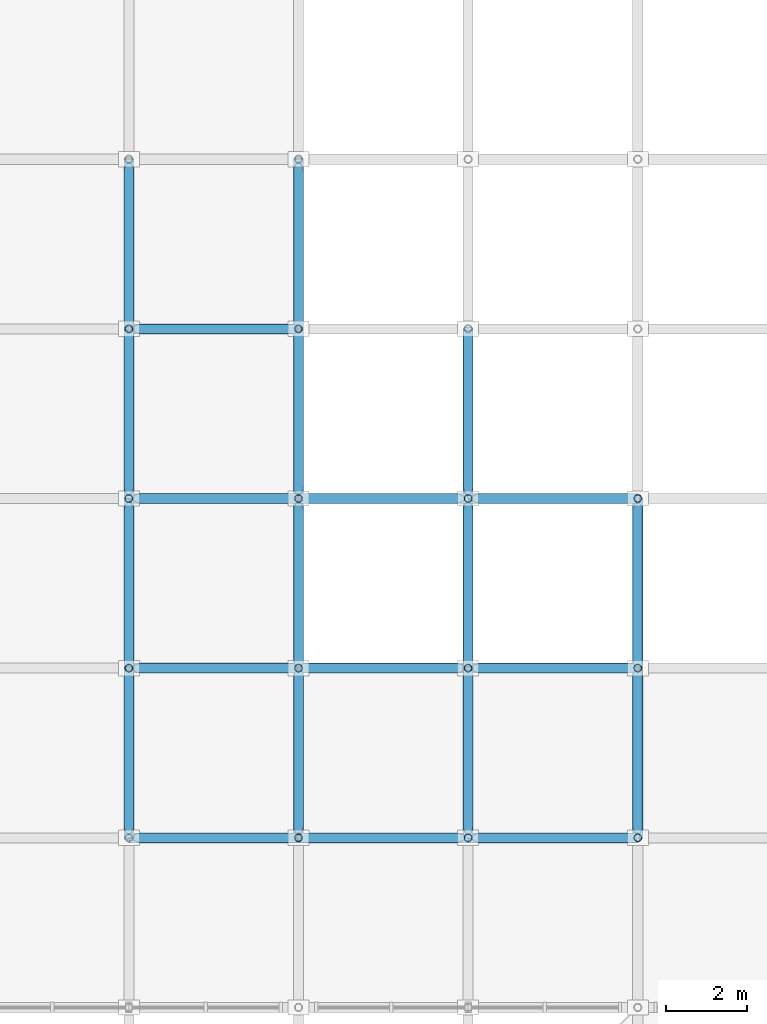
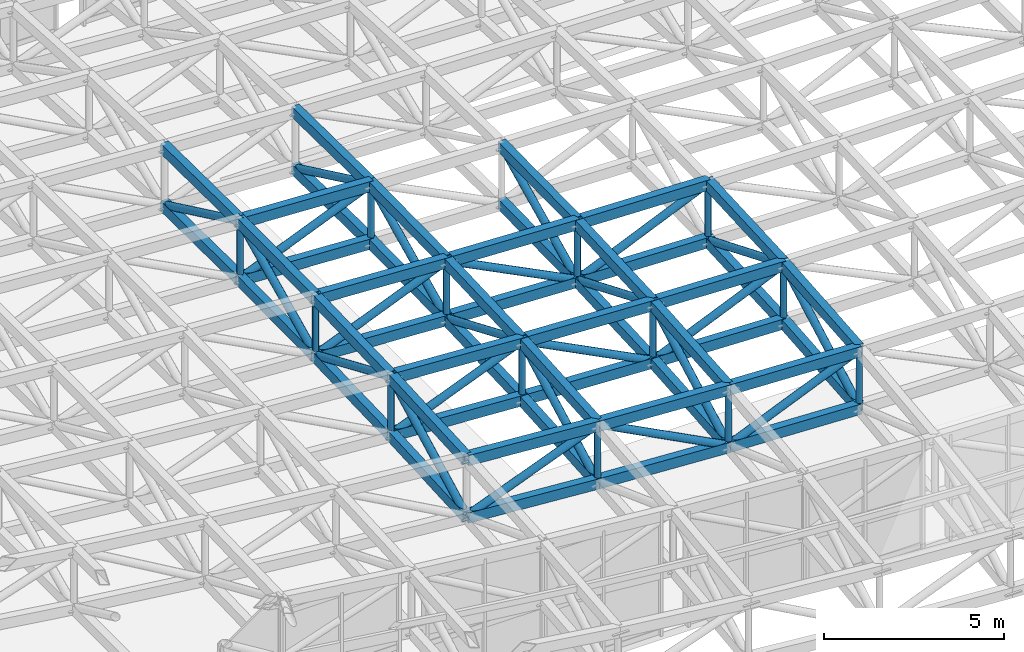
# One storey, part 28 of 111: 82 members.
"""IFC4 building model written with IfcOpenShell, lengths in metres."""

from ifc_helpers import new_model, si_unit, direction, frame, origin, origin_2d, place, context, subcontext, project, spatial, hollow_rectangle, hollow_circle, extrude, material, material_profile, profile_set, type_object, element, save


model = new_model("IFC4")

# Units and contexts
model_context = context("Model", 3, precision=1e-05, world=origin(), true_north=direction((0.0, 1.0)))
body_context = subcontext(model_context, "Body", "Model", "MODEL_VIEW")
ifc_project = project(units=[si_unit("LENGTHUNIT", "METRE"), si_unit("AREAUNIT", "SQUARE_METRE"), si_unit("VOLUMEUNIT", "CUBIC_METRE"), si_unit("PLANEANGLEUNIT", "RADIAN"), si_unit("MASSUNIT", "GRAM", prefix="KILO")], contexts=[model_context])

# Site, building, storey
site_placement = place(None, origin())
site = spatial("IfcSite", under=ifc_project, at=site_placement, CompositionType="ELEMENT")
building_placement = place(site_placement, origin())
building = spatial("IfcBuilding", under=site, at=building_placement, Name="Cumbredor Promenade Congress Hotel", CompositionType="ELEMENT")
storey_placement = place(building_placement, frame((0.0, 0.0, 15.1201171875)))
storey = spatial("IfcBuildingStorey", under=building, at=storey_placement, Name="L04", CompositionType="ELEMENT", Elevation=15.1201171875)

# Members
ifc_material = material(Name="Steel ASTM A500 Grade C", Category="steel")
ifc_material_profile_1 = material_profile(ifc_material, hollow_rectangle(XDim=0.25, YDim=0.35009765625, WallThickness=0.01611328125, at=origin_2d()), Name="HSS 350x250x16")
ifc_profile_set_1 = profile_set([ifc_material_profile_1], Name="Steel ASTM A500 Grade C")
member_type_1 = type_object("IfcMemberType", Name="Forum Roof Truss Chord", PredefinedType="CHORD", material=ifc_profile_set_1)
for number, where, z_axis, x_axis, name in (
    (1, (113.39990234375, 88.199951171875, 4.706787109375), (0.997383402776, 0.0, -0.072293484263), (0.0, 1.0, 0.0), "Pre-Function and Breakout Meeting Forum X Top Chord 7.3"),
    (2, (113.39990234375, 88.199951171875, 2.7568359375), (0.997383402776, 0.0, -0.072293484263), (0.0, 1.0, 0.0), "Pre-Function and Breakout Meeting Forum X Bottom Chord 7.3"),
):
    element("IfcMember", number, at=place(storey_placement, frame(where, z_axis=z_axis, x_axis=x_axis)), inside=storey, type_object=member_type_1, Name=name, PredefinedType="CHORD", context=body_context, shape_type="SweptSolid", body=[
        extrude(hollow_rectangle(XDim=0.25, YDim=0.35009765625, WallThickness=0.01611328125, at=origin_2d()), origin(), (0.0, 0.0, 1.0), 4.211181640625),
    ])
for number, where, z_axis, x_axis, name in (
    (3, (117.60009765625, 88.199951171875, 4.40234375), (0.998414117425, 0.0, -0.05629609335), (0.0, 1.0, 0.0), "Pre-Function and Breakout Meeting Forum X Top Chord 8.3"),
    (4, (117.60009765625, 88.199951171875, 2.452392578125), (0.998414117425, 0.0, -0.05629609335), (0.0, 1.0, 0.0), "Pre-Function and Breakout Meeting Forum X Bottom Chord 8.3"),
):
    element("IfcMember", number, at=place(storey_placement, frame(where, z_axis=z_axis, x_axis=x_axis)), inside=storey, type_object=member_type_1, Name=name, PredefinedType="CHORD", context=body_context, shape_type="SweptSolid", body=[
        extrude(hollow_rectangle(XDim=0.25, YDim=0.35009765625, WallThickness=0.01611328125, at=origin_2d()), origin(), (0.0, 0.0, 1.0), 4.20654296875),
    ])
for number, where, z_axis, x_axis, name in (
    (5, (121.800048828125, 88.199951171875, 4.16552734375), (0.999187261443, 0.0, -0.040309013512), (0.0, 1.0, 0.0), "Pre-Function and Breakout Meeting Forum X Top Chord 9.3"),
    (6, (121.800048828125, 88.199951171875, 2.215576171875), (0.999187261443, 0.0, -0.040309013512), (0.0, 1.0, 0.0), "Pre-Function and Breakout Meeting Forum X Bottom Chord 9.3"),
):
    element("IfcMember", number, at=place(storey_placement, frame(where, z_axis=z_axis, x_axis=x_axis)), inside=storey, type_object=member_type_1, Name=name, PredefinedType="CHORD", context=body_context, shape_type="SweptSolid", body=[
        extrude(hollow_rectangle(XDim=0.25, YDim=0.35009765625, WallThickness=0.01611328125, at=origin_2d()), origin(), (0.0, 0.0, 1.0), 4.203369140625),
    ])
for number, where, z_axis, x_axis, name in (
    (7, (113.39990234375, 92.39990234375, 4.93896484375), (0.998219523348, 0.0, -0.059647155894), (0.0, 1.0, 0.0), "Pre-Function and Breakout Meeting Forum X Top Chord 7.4"),
    (8, (113.39990234375, 92.39990234375, 2.989013671875), (0.998219523348, 0.0, -0.059647155894), (0.0, 1.0, 0.0), "Pre-Function and Breakout Meeting Forum X Bottom Chord 7.4"),
):
    element("IfcMember", number, at=place(storey_placement, frame(where, z_axis=z_axis, x_axis=x_axis)), inside=storey, type_object=member_type_1, Name=name, PredefinedType="CHORD", context=body_context, shape_type="SweptSolid", body=[
        extrude(hollow_rectangle(XDim=0.25, YDim=0.35009765625, WallThickness=0.01611328125, at=origin_2d()), origin(), (0.0, 0.0, 1.0), 4.207763671875),
    ])
for number, where, z_axis, x_axis, name in (
    (9, (117.60009765625, 92.39990234375, 4.68798828125), (0.998923154887, 0.0, -0.046395372944), (0.0, 1.0, 0.0), "Pre-Function and Breakout Meeting Forum X Top Chord 8.4"),
    (10, (117.60009765625, 92.39990234375, 2.738037109375), (0.998923154887, 0.0, -0.046395372944), (0.0, 1.0, 0.0), "Pre-Function and Breakout Meeting Forum X Bottom Chord 8.4"),
):
    element("IfcMember", number, at=place(storey_placement, frame(where, z_axis=z_axis, x_axis=x_axis)), inside=storey, type_object=member_type_1, Name=name, PredefinedType="CHORD", context=body_context, shape_type="SweptSolid", body=[
        extrude(hollow_rectangle(XDim=0.25, YDim=0.35009765625, WallThickness=0.01611328125, at=origin_2d()), origin(), (0.0, 0.0, 1.0), 4.20458984375),
    ])
for number, where, z_axis, x_axis, name in (
    (11, (121.800048828125, 92.39990234375, 4.492919921875), (0.999447676196, 0.0, -0.033231649758), (0.0, 1.0, 0.0), "Pre-Function and Breakout Meeting Forum X Top Chord 9.4"),
    (12, (121.800048828125, 92.39990234375, 2.54296875), (0.999447676196, 0.0, -0.033231649758), (0.0, 1.0, 0.0), "Pre-Function and Breakout Meeting Forum X Bottom Chord 9.4"),
):
    element("IfcMember", number, at=place(storey_placement, frame(where, z_axis=z_axis, x_axis=x_axis)), inside=storey, type_object=member_type_1, Name=name, PredefinedType="CHORD", context=body_context, shape_type="SweptSolid", body=[
        extrude(hollow_rectangle(XDim=0.25, YDim=0.35009765625, WallThickness=0.01611328125, at=origin_2d()), origin(), (0.0, 0.0, 1.0), 4.202392578125),
    ])
for number, where, z_axis, x_axis, name in (
    (13, (113.39990234375, 96.60009765625, 5.078369140625), (0.998643525423, 0.0, -0.052068312154), (0.0, 1.0, 0.0), "Pre-Function and Breakout Meeting Forum X Top Chord 7.5"),
    (14, (113.39990234375, 96.60009765625, 3.12841796875), (0.998643525423, 0.0, -0.052068312154), (0.0, 1.0, 0.0), "Pre-Function and Breakout Meeting Forum X Bottom Chord 7.5"),
):
    element("IfcMember", number, at=place(storey_placement, frame(where, z_axis=z_axis, x_axis=x_axis)), inside=storey, type_object=member_type_1, Name=name, PredefinedType="CHORD", context=body_context, shape_type="SweptSolid", body=[
        extrude(hollow_rectangle(XDim=0.25, YDim=0.35009765625, WallThickness=0.01611328125, at=origin_2d()), origin(), (0.0, 0.0, 1.0), 4.205810546875),
    ])
for number, where, z_axis, x_axis, name in (
    (15, (117.60009765625, 96.60009765625, 4.859375), (0.999182576071, 0.0, -0.040424988255), (0.0, 1.0, 0.0), "Pre-Function and Breakout Meeting Forum X Top Chord 8.5"),
    (16, (117.60009765625, 96.60009765625, 2.909423828125), (0.999182576071, 0.0, -0.040424988255), (0.0, 1.0, 0.0), "Pre-Function and Breakout Meeting Forum X Bottom Chord 8.5"),
):
    element("IfcMember", number, at=place(storey_placement, frame(where, z_axis=z_axis, x_axis=x_axis)), inside=storey, type_object=member_type_1, Name=name, PredefinedType="CHORD", context=body_context, shape_type="SweptSolid", body=[
        extrude(hollow_rectangle(XDim=0.25, YDim=0.35009765625, WallThickness=0.01611328125, at=origin_2d()), origin(), (0.0, 0.0, 1.0), 4.203369140625),
    ])
for number, where, z_axis, x_axis, name in (
    (17, (121.800048828125, 96.60009765625, 4.689453125), (0.999579574773, 0.0, -0.028994373529), (0.0, 1.0, 0.0), "Pre-Function and Breakout Meeting Forum X Top Chord 9.5"),
    (18, (121.800048828125, 96.60009765625, 2.739501953125), (0.999579574773, 0.0, -0.028994373529), (0.0, 1.0, 0.0), "Pre-Function and Breakout Meeting Forum X Bottom Chord 9.5"),
):
    element("IfcMember", number, at=place(storey_placement, frame(where, z_axis=z_axis, x_axis=x_axis)), inside=storey, type_object=member_type_1, Name=name, PredefinedType="CHORD", context=body_context, shape_type="SweptSolid", body=[
        extrude(hollow_rectangle(XDim=0.25, YDim=0.35009765625, WallThickness=0.01611328125, at=origin_2d()), origin(), (0.0, 0.0, 1.0), 4.20166015625),
    ])
for number, where, z_axis, x_axis, name in (
    (19, (113.39990234375, 100.800048828125, 5.125), (0.998773099419, 0.0, -0.049520661114), (0.0, 1.0, 0.0), "Pre-Function and Breakout Meeting Forum X Top Chord 7.6"),
    (20, (113.39990234375, 100.800048828125, 3.1748046875), (0.998775969128, 0.0, -0.049462748529), (0.0, 1.0, 0.0), "Pre-Function and Breakout Meeting Forum X Bottom Chord 7.6"),
):
    element("IfcMember", number, at=place(storey_placement, frame(where, z_axis=z_axis, x_axis=x_axis)), inside=storey, type_object=member_type_1, Name=name, PredefinedType="CHORD", context=body_context, shape_type="SweptSolid", body=[
        extrude(hollow_rectangle(XDim=0.25, YDim=0.35009765625, WallThickness=0.01611328125, at=origin_2d()), origin(), (0.0, 0.0, 1.0), 4.205322265625),
    ])
for number, where, z_axis, x_axis, name in (
    (21, (113.39990234375, 88.199951171875, 4.706787109375), (0.0, 0.998475495714, 0.055196779424), (-1.0, 0.0, 0.0), "Pre-Function and Breakout Meeting Forum Y Top Chord 7.3"),
    (22, (113.39990234375, 88.199951171875, 2.7568359375), (0.0, 0.998475495714, 0.055196779424), (-1.0, 0.0, 0.0), "Pre-Function and Breakout Meeting Forum Y Bottom Chord 7.3"),
):
    element("IfcMember", number, at=place(storey_placement, frame(where, z_axis=z_axis, x_axis=x_axis)), inside=storey, type_object=member_type_1, Name=name, PredefinedType="CHORD", context=body_context, shape_type="SweptSolid", body=[
        extrude(hollow_rectangle(XDim=0.25, YDim=0.35009765625, WallThickness=0.01611328125, at=origin_2d()), origin(), (0.0, 0.0, 1.0), 4.206298828125),
    ])
for number, where, z_axis, x_axis, name in (
    (23, (113.39990234375, 92.39990234375, 4.93896484375), (0.0, 0.999449668048, 0.033171690331), (-1.0, 0.0, 0.0), "Pre-Function and Breakout Meeting Forum Y Top Chord 7.4"),
    (24, (113.39990234375, 92.39990234375, 2.989013671875), (0.0, 0.999449668048, 0.033171690331), (-1.0, 0.0, 0.0), "Pre-Function and Breakout Meeting Forum Y Bottom Chord 7.4"),
):
    element("IfcMember", number, at=place(storey_placement, frame(where, z_axis=z_axis, x_axis=x_axis)), inside=storey, type_object=member_type_1, Name=name, PredefinedType="CHORD", context=body_context, shape_type="SweptSolid", body=[
        extrude(hollow_rectangle(XDim=0.25, YDim=0.35009765625, WallThickness=0.01611328125, at=origin_2d()), origin(), (0.0, 0.0, 1.0), 4.202392578125),
    ])
for number, where, z_axis, x_axis, name in (
    (25, (113.39990234375, 96.60009765625, 5.078369140625), (0.0, 0.999938370562, 0.011102030389), (-1.0, 0.0, 0.0), "Pre-Function and Breakout Meeting Forum Y Top Chord 7.5"),
    (26, (113.39990234375, 96.60009765625, 3.12841796875), (0.0, 0.999939014148, 0.011043911683), (-1.0, 0.0, 0.0), "Pre-Function and Breakout Meeting Forum Y Bottom Chord 7.5"),
    (27, (113.39990234375, 100.800048828125, 5.125), (0.0, 0.999938370562, -0.011102030389), (-1.0, 0.0, 0.0), "Pre-Function and Breakout Meeting Forum Y Top Chord 7.6"),
    (28, (113.39990234375, 100.800048828125, 3.1748046875), (0.0, 0.999939014148, -0.011043911683), (-1.0, 0.0, 0.0), "Pre-Function and Breakout Meeting Forum Y Bottom Chord 7.6"),
):
    element("IfcMember", number, at=place(storey_placement, frame(where, z_axis=z_axis, x_axis=x_axis)), inside=storey, type_object=member_type_1, Name=name, PredefinedType="CHORD", context=body_context, shape_type="SweptSolid", body=[
        extrude(hollow_rectangle(XDim=0.25, YDim=0.35009765625, WallThickness=0.01611328125, at=origin_2d()), origin(), (0.0, 0.0, 1.0), 4.2001953125),
    ])
for number, where, z_axis, x_axis, name in (
    (29, (117.60009765625, 88.199951171875, 4.40234375), (0.0, 0.997695217775, 0.067854641911), (-1.0, 0.0, 0.0), "Pre-Function and Breakout Meeting Forum Y Top Chord 8.3"),
    (30, (117.60009765625, 88.199951171875, 2.452392578125), (0.0, 0.997695217775, 0.067854641911), (-1.0, 0.0, 0.0), "Pre-Function and Breakout Meeting Forum Y Bottom Chord 8.3"),
):
    element("IfcMember", number, at=place(storey_placement, frame(where, z_axis=z_axis, x_axis=x_axis)), inside=storey, type_object=member_type_1, Name=name, PredefinedType="CHORD", context=body_context, shape_type="SweptSolid", body=[
        extrude(hollow_rectangle(XDim=0.25, YDim=0.35009765625, WallThickness=0.01611328125, at=origin_2d()), origin(), (0.0, 0.0, 1.0), 4.209716796875),
    ])
for number, where, z_axis, x_axis, name in (
    (31, (117.60009765625, 92.39990234375, 4.68798828125), (0.0, 0.999168536005, 0.040770536635), (-1.0, 0.0, 0.0), "Pre-Function and Breakout Meeting Forum Y Top Chord 8.4"),
    (32, (117.60009765625, 92.39990234375, 2.738037109375), (0.0, 0.999168536005, 0.040770536635), (-1.0, 0.0, 0.0), "Pre-Function and Breakout Meeting Forum Y Bottom Chord 8.4"),
):
    element("IfcMember", number, at=place(storey_placement, frame(where, z_axis=z_axis, x_axis=x_axis)), inside=storey, type_object=member_type_1, Name=name, PredefinedType="CHORD", context=body_context, shape_type="SweptSolid", body=[
        extrude(hollow_rectangle(XDim=0.25, YDim=0.35009765625, WallThickness=0.01611328125, at=origin_2d()), origin(), (0.0, 0.0, 1.0), 4.20361328125),
    ])
for number, where, z_axis, x_axis, name in (
    (33, (117.60009765625, 96.60009765625, 4.859375), (0.0, 0.999906709682, 0.013659133685), (-1.0, 0.0, 0.0), "Pre-Function and Breakout Meeting Forum Y Top Chord 8.5"),
    (34, (117.60009765625, 96.60009765625, 2.909423828125), (0.0, 0.999906709682, 0.013659133685), (-1.0, 0.0, 0.0), "Pre-Function and Breakout Meeting Forum Y Bottom Chord 8.5"),
    (35, (117.60009765625, 100.800048828125, 4.916748046875), (0.0, 0.999906709682, -0.013659133685), (-1.0, 0.0, 0.0), "Pre-Function and Breakout Meeting Forum Y Top Chord 8.6"),
    (36, (117.60009765625, 100.800048828125, 2.966796875), (0.0, 0.999906709682, -0.013659133685), (-1.0, 0.0, 0.0), "Pre-Function and Breakout Meeting Forum Y Bottom Chord 8.6"),
):
    element("IfcMember", number, at=place(storey_placement, frame(where, z_axis=z_axis, x_axis=x_axis)), inside=storey, type_object=member_type_1, Name=name, PredefinedType="CHORD", context=body_context, shape_type="SweptSolid", body=[
        extrude(hollow_rectangle(XDim=0.25, YDim=0.35009765625, WallThickness=0.01611328125, at=origin_2d()), origin(), (0.0, 0.0, 1.0), 4.200439453125),
    ])
for number, where, z_axis, x_axis, name in (
    (37, (121.800048828125, 88.199951171875, 4.16552734375), (0.0, 0.996975556685, 0.07771576013), (-1.0, 0.0, 0.0), "Pre-Function and Breakout Meeting Forum Y Top Chord 9.3"),
    (38, (121.800048828125, 88.199951171875, 2.215576171875), (0.0, 0.996975556685, 0.07771576013), (-1.0, 0.0, 0.0), "Pre-Function and Breakout Meeting Forum Y Bottom Chord 9.3"),
):
    element("IfcMember", number, at=place(storey_placement, frame(where, z_axis=z_axis, x_axis=x_axis)), inside=storey, type_object=member_type_1, Name=name, PredefinedType="CHORD", context=body_context, shape_type="SweptSolid", body=[
        extrude(hollow_rectangle(XDim=0.25, YDim=0.35009765625, WallThickness=0.01611328125, at=origin_2d()), origin(), (0.0, 0.0, 1.0), 4.212646484375),
    ])
for number, where, z_axis, x_axis, name in (
    (39, (121.800048828125, 92.39990234375, 4.492919921875), (0.0, 0.998907074734, 0.046740304299), (-1.0, 0.0, 0.0), "Pre-Function and Breakout Meeting Forum Y Top Chord 9.4"),
    (40, (121.800048828125, 92.39990234375, 2.54296875), (0.0, 0.998907074734, 0.046740304299), (-1.0, 0.0, 0.0), "Pre-Function and Breakout Meeting Forum Y Bottom Chord 9.4"),
):
    element("IfcMember", number, at=place(storey_placement, frame(where, z_axis=z_axis, x_axis=x_axis)), inside=storey, type_object=member_type_1, Name=name, PredefinedType="CHORD", context=body_context, shape_type="SweptSolid", body=[
        extrude(hollow_rectangle(XDim=0.25, YDim=0.35009765625, WallThickness=0.01611328125, at=origin_2d()), origin(), (0.0, 0.0, 1.0), 4.204833984375),
    ])
for number, where, z_axis, x_axis, name in (
    (41, (121.800048828125, 96.60009765625, 4.689453125), (0.0, 0.999878674477, 0.015576788046), (-1.0, 0.0, 0.0), "Pre-Function and Breakout Meeting Forum Y Top Chord 9.5"),
    (42, (121.800048828125, 96.60009765625, 2.739501953125), (0.0, 0.999878674477, 0.015576788046), (-1.0, 0.0, 0.0), "Pre-Function and Breakout Meeting Forum Y Bottom Chord 9.5"),
):
    element("IfcMember", number, at=place(storey_placement, frame(where, z_axis=z_axis, x_axis=x_axis)), inside=storey, type_object=member_type_1, Name=name, PredefinedType="CHORD", context=body_context, shape_type="SweptSolid", body=[
        extrude(hollow_rectangle(XDim=0.25, YDim=0.35009765625, WallThickness=0.01611328125, at=origin_2d()), origin(), (0.0, 0.0, 1.0), 4.200439453125),
    ])
for number, where, z_axis, x_axis, name in (
    (43, (126.0, 88.199951171875, 3.99609375), (0.0, 0.9964033157, 0.084737432475), (-1.0, 0.0, 0.0), "Pre-Function and Breakout Meeting Forum Y Top Chord 10.3"),
    (44, (126.0, 88.199951171875, 2.046142578125), (0.0, 0.9964033157, 0.084737432475), (-1.0, 0.0, 0.0), "Pre-Function and Breakout Meeting Forum Y Bottom Chord 10.3"),
):
    element("IfcMember", number, at=place(storey_placement, frame(where, z_axis=z_axis, x_axis=x_axis)), inside=storey, type_object=member_type_1, Name=name, PredefinedType="CHORD", context=body_context, shape_type="SweptSolid", body=[
        extrude(hollow_rectangle(XDim=0.25, YDim=0.35009765625, WallThickness=0.01611328125, at=origin_2d()), origin(), (0.0, 0.0, 1.0), 4.215087890625),
    ])
for number, where, z_axis, x_axis, name in (
    (45, (126.0, 92.39990234375, 4.353271484375), (0.0, 0.998700270943, 0.050968311898), (-1.0, 0.0, 0.0), "Pre-Function and Breakout Meeting Forum Y Top Chord 10.4"),
    (46, (126.0, 92.39990234375, 2.4033203125), (0.0, 0.998700270943, 0.050968311898), (-1.0, 0.0, 0.0), "Pre-Function and Breakout Meeting Forum Y Bottom Chord 10.4"),
):
    element("IfcMember", number, at=place(storey_placement, frame(where, z_axis=z_axis, x_axis=x_axis)), inside=storey, type_object=member_type_1, Name=name, PredefinedType="CHORD", context=body_context, shape_type="SweptSolid", body=[
        extrude(hollow_rectangle(XDim=0.25, YDim=0.35009765625, WallThickness=0.01611328125, at=origin_2d()), origin(), (0.0, 0.0, 1.0), 4.20556640625),
    ])
ifc_material_profile_2 = material_profile(ifc_material, hollow_circle(Radius=0.122314453125, WallThickness=0.012451171875, at=origin_2d()), Name="CHS 244.5x12.5")
ifc_profile_set_2 = profile_set([ifc_material_profile_2], Name="Steel ASTM A500 Grade C")
member_type_2 = type_object("IfcMemberType", Name="Space Frame Web Diagonal D2", PredefinedType="BRACE", material=ifc_profile_set_2)
member_1_placement = place(storey_placement, frame((113.39990234375, 88.199951171875, 2.7568359375), z_axis=(0.931095779105, 0.0, 0.36477479372), x_axis=(0.0, 1.0, 0.0)))
element("IfcMember", 47, at=member_1_placement, inside=storey, type_object=member_type_2, Name="Pre-Function and Breakout Meeting Forum X Web Diagonal 7.3", PredefinedType="BRACE", context=body_context, shape_type="SweptSolid", body=[
    extrude(hollow_circle(Radius=0.122314453125, WallThickness=0.012451171875, at=origin_2d()), origin(), (0.0, 0.0, 1.0), 4.510986328125),
])
member_2_placement = place(storey_placement, frame((117.60009765625, 88.199951171875, 4.40234375), z_axis=(0.886975246992, 0.0, -0.461816967233), x_axis=(0.0, 1.0, 0.0)))
element("IfcMember", 48, at=member_2_placement, inside=storey, type_object=member_type_2, Name="Pre-Function and Breakout Meeting Forum X Web Diagonal 8.3", PredefinedType="BRACE", context=body_context, shape_type="SweptSolid", body=[
    extrude(hollow_circle(Radius=0.122314453125, WallThickness=0.012451171875, at=origin_2d()), origin(), (0.0, 0.0, 1.0), 4.735107421875),
])
member_3_placement = place(storey_placement, frame((121.800048828125, 88.199951171875, 2.215576171875), z_axis=(0.920682624594, 0.0, 0.390312060755), x_axis=(0.0, 1.0, 0.0)))
element("IfcMember", 49, at=member_3_placement, inside=storey, type_object=member_type_2, Name="Pre-Function and Breakout Meeting Forum X Web Diagonal 9.3", PredefinedType="BRACE", context=body_context, shape_type="SweptSolid", body=[
    extrude(hollow_circle(Radius=0.122314453125, WallThickness=0.012451171875, at=origin_2d()), origin(), (0.0, 0.0, 1.0), 4.561767578125),
])
member_4_placement = place(storey_placement, frame((113.39990234375, 92.39990234375, 2.989013671875), z_axis=(0.927031566681, 0.0, 0.374983298799), x_axis=(0.0, 1.0, 0.0)))
element("IfcMember", 50, at=member_4_placement, inside=storey, type_object=member_type_2, Name="Pre-Function and Breakout Meeting Forum X Web Diagonal 7.4", PredefinedType="BRACE", context=body_context, shape_type="SweptSolid", body=[
    extrude(hollow_circle(Radius=0.122314453125, WallThickness=0.012451171875, at=origin_2d()), origin(), (0.0, 0.0, 1.0), 4.53076171875),
])
member_5_placement = place(storey_placement, frame((117.60009765625, 92.39990234375, 4.68798828125), z_axis=(0.890574034395, 0.0, -0.45483831112), x_axis=(0.0, 1.0, 0.0)))
element("IfcMember", 51, at=member_5_placement, inside=storey, type_object=member_type_2, Name="Pre-Function and Breakout Meeting Forum X Web Diagonal 8.4", PredefinedType="BRACE", context=body_context, shape_type="SweptSolid", body=[
    extrude(hollow_circle(Radius=0.122314453125, WallThickness=0.012451171875, at=origin_2d()), origin(), (0.0, 0.0, 1.0), 4.716064453125),
])
member_6_placement = place(storey_placement, frame((121.800048828125, 92.39990234375, 2.54296875), z_axis=(0.918325759137, 0.0, 0.395825466721), x_axis=(0.0, 1.0, 0.0)))
element("IfcMember", 52, at=member_6_placement, inside=storey, type_object=member_type_2, Name="Pre-Function and Breakout Meeting Forum X Web Diagonal 9.4", PredefinedType="BRACE", context=body_context, shape_type="SweptSolid", body=[
    extrude(hollow_circle(Radius=0.122314453125, WallThickness=0.012451171875, at=origin_2d()), origin(), (0.0, 0.0, 1.0), 4.573486328125),
])
member_7_placement = place(storey_placement, frame((113.39990234375, 96.60009765625, 3.12841796875), z_axis=(0.924564532949, 0.0, 0.381025490503), x_axis=(0.0, 1.0, 0.0)))
element("IfcMember", 53, at=member_7_placement, inside=storey, type_object=member_type_2, Name="Pre-Function and Breakout Meeting Forum X Web Diagonal 7.5", PredefinedType="BRACE", context=body_context, shape_type="SweptSolid", body=[
    extrude(hollow_circle(Radius=0.122314453125, WallThickness=0.012451171875, at=origin_2d()), origin(), (0.0, 0.0, 1.0), 4.54296875),
])
member_8_placement = place(storey_placement, frame((117.60009765625, 96.60009765625, 4.859375), z_axis=(0.892729053499, 0.0, -0.450593871507), x_axis=(0.0, 1.0, 0.0)))
element("IfcMember", 54, at=member_8_placement, inside=storey, type_object=member_type_2, Name="Pre-Function and Breakout Meeting Forum X Web Diagonal 8.5", PredefinedType="BRACE", context=body_context, shape_type="SweptSolid", body=[
    extrude(hollow_circle(Radius=0.122314453125, WallThickness=0.012451171875, at=origin_2d()), origin(), (0.0, 0.0, 1.0), 4.70458984375),
])
member_9_placement = place(storey_placement, frame((121.800048828125, 96.60009765625, 2.739501953125), z_axis=(0.916905589781, 0.0, 0.399104171149), x_axis=(0.0, 1.0, 0.0)))
element("IfcMember", 55, at=member_9_placement, inside=storey, type_object=member_type_2, Name="Pre-Function and Breakout Meeting Forum X Web Diagonal 9.5", PredefinedType="BRACE", context=body_context, shape_type="SweptSolid", body=[
    extrude(hollow_circle(Radius=0.122314453125, WallThickness=0.012451171875, at=origin_2d()), origin(), (0.0, 0.0, 1.0), 4.58056640625),
])
member_10_placement = place(storey_placement, frame((113.39990234375, 100.800048828125, 3.1748046875), z_axis=(0.9237110675, 0.0, 0.383089889945), x_axis=(0.0, 1.0, 0.0)))
element("IfcMember", 56, at=member_10_placement, inside=storey, type_object=member_type_2, Name="Pre-Function and Breakout Meeting Forum X Web Diagonal 7.6", PredefinedType="BRACE", context=body_context, shape_type="SweptSolid", body=[
    extrude(hollow_circle(Radius=0.122314453125, WallThickness=0.012451171875, at=origin_2d()), origin(), (0.0, 0.0, 1.0), 4.547119140625),
])
member_11_placement = place(storey_placement, frame((113.39990234375, 88.199951171875, 2.7568359375), z_axis=(0.0, 0.887376368507, 0.461045746772), x_axis=(-1.0, 0.0, 0.0)))
element("IfcMember", 57, at=member_11_placement, inside=storey, type_object=member_type_2, Name="Pre-Function and Breakout Meeting Forum Y Web Diagonal 7.3", PredefinedType="BRACE", context=body_context, shape_type="SweptSolid", body=[
    extrude(hollow_circle(Radius=0.122314453125, WallThickness=0.012451171875, at=origin_2d()), origin(), (0.0, 0.0, 1.0), 4.73291015625),
])
member_12_placement = place(storey_placement, frame((113.39990234375, 92.39990234375, 4.93896484375), z_axis=(0.0, 0.918314719204, -0.395851078681), x_axis=(-1.0, 0.0, 0.0)))
element("IfcMember", 58, at=member_12_placement, inside=storey, type_object=member_type_2, Name="Pre-Function and Breakout Meeting Forum Y Web Diagonal 7.4", PredefinedType="BRACE", context=body_context, shape_type="SweptSolid", body=[
    extrude(hollow_circle(Radius=0.122314453125, WallThickness=0.012451171875, at=origin_2d()), origin(), (0.0, 0.0, 1.0), 4.57373046875),
])
for number, where, z_axis, x_axis, name in (
    (59, (113.39990234375, 96.60009765625, 3.12841796875), (0.0, 0.903143682535, 0.429338431423), (-1.0, 0.0, 0.0), "Pre-Function and Breakout Meeting Forum Y Web Diagonal 7.5"),
    (60, (113.39990234375, 100.800048828125, 5.125), (0.0, 0.903143682535, -0.429338431423), (-1.0, 0.0, 0.0), "Pre-Function and Breakout Meeting Forum Y Web Diagonal 7.6"),
):
    element("IfcMember", number, at=place(storey_placement, frame(where, z_axis=z_axis, x_axis=x_axis)), inside=storey, type_object=member_type_2, Name=name, PredefinedType="BRACE", context=body_context, shape_type="SweptSolid", body=[
        extrude(hollow_circle(Radius=0.122314453125, WallThickness=0.012451171875, at=origin_2d()), origin(), (0.0, 0.0, 1.0), 4.650390625),
    ])
member_13_placement = place(storey_placement, frame((117.60009765625, 88.199951171875, 2.452392578125), z_axis=(0.0, 0.882734744534, 0.469871653531), x_axis=(-1.0, 0.0, 0.0)))
element("IfcMember", 61, at=member_13_placement, inside=storey, type_object=member_type_2, Name="Pre-Function and Breakout Meeting Forum Y Web Diagonal 8.3", PredefinedType="BRACE", context=body_context, shape_type="SweptSolid", body=[
    extrude(hollow_circle(Radius=0.122314453125, WallThickness=0.012451171875, at=origin_2d()), origin(), (0.0, 0.0, 1.0), 4.7578125),
])
member_14_placement = place(storey_placement, frame((117.60009765625, 92.39990234375, 4.68798828125), z_axis=(0.0, 0.920844574715, -0.389929826017), x_axis=(-1.0, 0.0, 0.0)))
element("IfcMember", 62, at=member_14_placement, inside=storey, type_object=member_type_2, Name="Pre-Function and Breakout Meeting Forum Y Web Diagonal 8.4", PredefinedType="BRACE", context=body_context, shape_type="SweptSolid", body=[
    extrude(hollow_circle(Radius=0.122314453125, WallThickness=0.012451171875, at=origin_2d()), origin(), (0.0, 0.0, 1.0), 4.561279296875),
])
for number, where, z_axis, x_axis, name in (
    (63, (117.60009765625, 96.60009765625, 2.909423828125), (0.0, 0.9022469117, 0.431219793524), (-1.0, 0.0, 0.0), "Pre-Function and Breakout Meeting Forum Y Web Diagonal 8.5"),
    (64, (117.60009765625, 100.800048828125, 4.916748046875), (0.0, 0.9022469117, -0.431219793524), (-1.0, 0.0, 0.0), "Pre-Function and Breakout Meeting Forum Y Web Diagonal 8.6"),
):
    element("IfcMember", number, at=place(storey_placement, frame(where, z_axis=z_axis, x_axis=x_axis)), inside=storey, type_object=member_type_2, Name=name, PredefinedType="BRACE", context=body_context, shape_type="SweptSolid", body=[
        extrude(hollow_circle(Radius=0.122314453125, WallThickness=0.012451171875, at=origin_2d()), origin(), (0.0, 0.0, 1.0), 4.655029296875),
    ])
member_15_placement = place(storey_placement, frame((121.800048828125, 88.199951171875, 2.215576171875), z_axis=(0.0, 0.879084119381, 0.476666666604), x_axis=(-1.0, 0.0, 0.0)))
element("IfcMember", 65, at=member_15_placement, inside=storey, type_object=member_type_2, Name="Pre-Function and Breakout Meeting Forum Y Web Diagonal 9.3", PredefinedType="BRACE", context=body_context, shape_type="SweptSolid", body=[
    extrude(hollow_circle(Radius=0.122314453125, WallThickness=0.012451171875, at=origin_2d()), origin(), (0.0, 0.0, 1.0), 4.777587890625),
])
member_16_placement = place(storey_placement, frame((121.800048828125, 92.39990234375, 4.492919921875), z_axis=(0.0, 0.922816448372, -0.385239928633), x_axis=(-1.0, 0.0, 0.0)))
element("IfcMember", 66, at=member_16_placement, inside=storey, type_object=member_type_2, Name="Pre-Function and Breakout Meeting Forum Y Web Diagonal 9.4", PredefinedType="BRACE", context=body_context, shape_type="SweptSolid", body=[
    extrude(hollow_circle(Radius=0.122314453125, WallThickness=0.012451171875, at=origin_2d()), origin(), (0.0, 0.0, 1.0), 4.551513671875),
])
member_17_placement = place(storey_placement, frame((121.800048828125, 96.60009765625, 2.739501953125), z_axis=(0.0, 0.901572937792, 0.432627134888), x_axis=(-1.0, 0.0, 0.0)))
element("IfcMember", 67, at=member_17_placement, inside=storey, type_object=member_type_2, Name="Pre-Function and Breakout Meeting Forum Y Web Diagonal 9.5", PredefinedType="BRACE", context=body_context, shape_type="SweptSolid", body=[
    extrude(hollow_circle(Radius=0.122314453125, WallThickness=0.012451171875, at=origin_2d()), origin(), (0.0, 0.0, 1.0), 4.658447265625),
])
member_18_placement = place(storey_placement, frame((126.0, 88.199951171875, 2.046142578125), z_axis=(0.0, 0.876466425327, 0.481462984325), x_axis=(-1.0, 0.0, 0.0)))
element("IfcMember", 68, at=member_18_placement, inside=storey, type_object=member_type_2, Name="Pre-Function and Breakout Meeting Forum Y Web Diagonal 10.3", PredefinedType="BRACE", context=body_context, shape_type="SweptSolid", body=[
    extrude(hollow_circle(Radius=0.122314453125, WallThickness=0.012451171875, at=origin_2d()), origin(), (0.0, 0.0, 1.0), 4.7919921875),
])
member_19_placement = place(storey_placement, frame((126.0, 92.39990234375, 4.353271484375), z_axis=(0.0, 0.924204551196, -0.38189782344), x_axis=(-1.0, 0.0, 0.0)))
element("IfcMember", 69, at=member_19_placement, inside=storey, type_object=member_type_2, Name="Pre-Function and Breakout Meeting Forum Y Web Diagonal 10.4", PredefinedType="BRACE", context=body_context, shape_type="SweptSolid", body=[
    extrude(hollow_circle(Radius=0.122314453125, WallThickness=0.012451171875, at=origin_2d()), origin(), (0.0, 0.0, 1.0), 4.544677734375),
])
ifc_material_profile_3 = material_profile(ifc_material, hollow_circle(Radius=0.096923828125, WallThickness=0.010009765625, at=origin_2d()), Name="CHS 193.7x10")
ifc_profile_set_3 = profile_set([ifc_material_profile_3], Name="Steel ASTM A500 Grade C")
member_type_3 = type_object("IfcMemberType", Name="Space Frame Web Post P1", PredefinedType="BRACE", material=ifc_profile_set_3)
for number, where, z_axis, x_axis, name in (
    (70, (113.39990234375, 92.39990234375, 2.989013671875), (0.0, 0.0, 1.0), (1.0, 0.0, 0.0), "Pre-Function and Breakout Meeting Forum Space Frame Web Post 7.4"),
    (71, (113.39990234375, 96.60009765625, 3.12841796875), (0.0, 0.0, 1.0), (1.0, 0.0, 0.0), "Pre-Function and Breakout Meeting Forum Space Frame Web Post 7.5"),
):
    element("IfcMember", number, at=place(storey_placement, frame(where, z_axis=z_axis, x_axis=x_axis)), inside=storey, type_object=member_type_3, Name=name, PredefinedType="BRACE", context=body_context, shape_type="SweptSolid", body=[
        extrude(hollow_circle(Radius=0.096923828125, WallThickness=0.010009765625, at=origin_2d()), origin(), (0.0, 0.0, 1.0), 1.949951171875),
    ])
member_20_placement = place(storey_placement, frame((113.39990234375, 100.800048828125, 3.1748046875), z_axis=(0.0, 0.0, 1.0), x_axis=(1.0, 0.0, 0.0)))
element("IfcMember", 72, at=member_20_placement, inside=storey, type_object=member_type_3, Name="Pre-Function and Breakout Meeting Forum Space Frame Web Post 7.6", PredefinedType="BRACE", context=body_context, shape_type="SweptSolid", body=[
    extrude(hollow_circle(Radius=0.096923828125, WallThickness=0.010009765625, at=origin_2d()), origin(), (0.0, 0.0, 1.0), 1.9501953125),
])
for number, where, z_axis, x_axis, name in (
    (73, (117.60009765625, 88.199951171875, 2.452392578125), (0.0, 0.0, 1.0), (1.0, 0.0, 0.0), "Pre-Function and Breakout Meeting Forum Space Frame Web Post 8.3"),
    (74, (117.60009765625, 92.39990234375, 2.738037109375), (0.0, 0.0, 1.0), (1.0, 0.0, 0.0), "Pre-Function and Breakout Meeting Forum Space Frame Web Post 8.4"),
    (75, (117.60009765625, 96.60009765625, 2.909423828125), (0.0, 0.0, 1.0), (1.0, 0.0, 0.0), "Pre-Function and Breakout Meeting Forum Space Frame Web Post 8.5"),
    (76, (117.60009765625, 100.800048828125, 2.966796875), (0.0, 0.0, 1.0), (1.0, 0.0, 0.0), "Pre-Function and Breakout Meeting Forum Space Frame Web Post 8.6"),
    (77, (121.800048828125, 88.199951171875, 2.215576171875), (0.0, 0.0, 1.0), (1.0, 0.0, 0.0), "Pre-Function and Breakout Meeting Forum Space Frame Web Post 9.3"),
    (78, (121.800048828125, 92.39990234375, 2.54296875), (0.0, 0.0, 1.0), (1.0, 0.0, 0.0), "Pre-Function and Breakout Meeting Forum Space Frame Web Post 9.4"),
    (79, (121.800048828125, 96.60009765625, 2.739501953125), (0.0, 0.0, 1.0), (1.0, 0.0, 0.0), "Pre-Function and Breakout Meeting Forum Space Frame Web Post 9.5"),
    (80, (126.0, 88.199951171875, 2.046142578125), (0.0, 0.0, 1.0), (1.0, 0.0, 0.0), "Pre-Function and Breakout Meeting Forum Space Frame Web Post 10.3"),
    (81, (126.0, 92.39990234375, 2.4033203125), (0.0, 0.0, 1.0), (1.0, 0.0, 0.0), "Pre-Function and Breakout Meeting Forum Space Frame Web Post 10.4"),
    (82, (126.0, 96.60009765625, 2.61767578125), (0.0, 0.0, 1.0), (1.0, 0.0, 0.0), "Pre-Function and Breakout Meeting Forum Space Frame Web Post 10.5"),
):
    element("IfcMember", number, at=place(storey_placement, frame(where, z_axis=z_axis, x_axis=x_axis)), inside=storey, type_object=member_type_3, Name=name, PredefinedType="BRACE", context=body_context, shape_type="SweptSolid", body=[
        extrude(hollow_circle(Radius=0.096923828125, WallThickness=0.010009765625, at=origin_2d()), origin(), (0.0, 0.0, 1.0), 1.949951171875),
    ])

save(model, "model.ifc")
